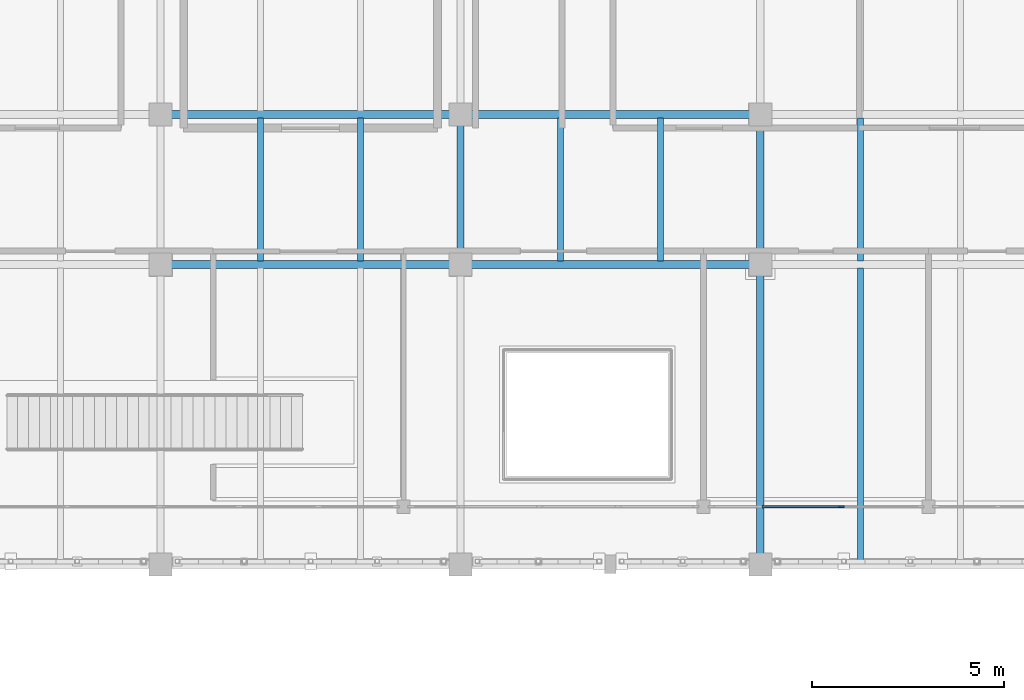
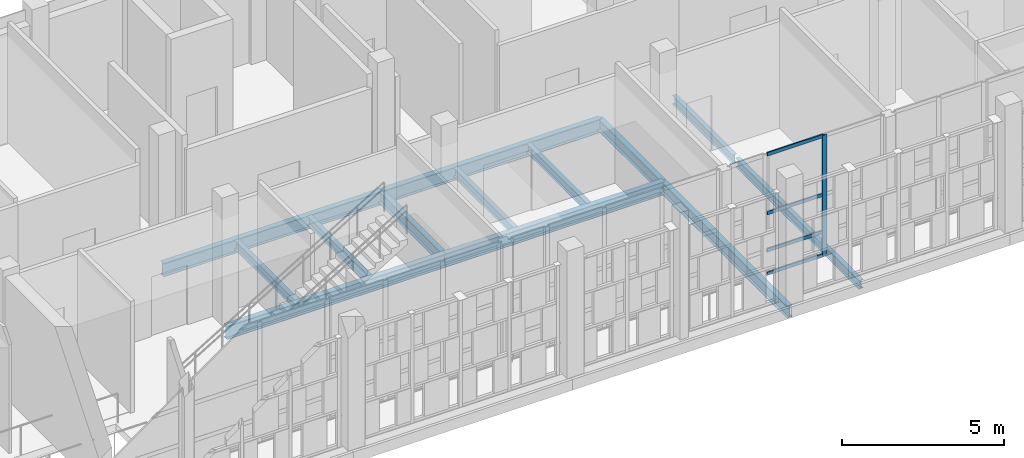
# One storey, part 61 of 138: 13 beams, 5 members, 1 element without a shape of its own.
"""IFC4 building model written with IfcOpenShell, lengths in metres."""

from ifc_helpers import new_model, si_unit, direction, frame, origin, origin_2d, place, context, subcontext, project, spatial, rectangle, i_section, extrude, material, layer, layer_set, material_profile, profile_set, type_object, element, aggregate, save


model = new_model("IFC4")

# Units and contexts
model_context = context("Model", 3, precision=1e-05, world=origin(), true_north=direction((0.0, 1.0)))
body_context = subcontext(model_context, "Body", "Model", "MODEL_VIEW")
ifc_project = project(units=[si_unit("LENGTHUNIT", "METRE"), si_unit("AREAUNIT", "SQUARE_METRE"), si_unit("VOLUMEUNIT", "CUBIC_METRE"), si_unit("PLANEANGLEUNIT", "RADIAN"), si_unit("MASSUNIT", "GRAM", prefix="KILO")], contexts=[model_context])

# Site, building, storey
site_placement = place(None, origin())
site = spatial("IfcSite", under=ifc_project, at=site_placement, CompositionType="ELEMENT")
building_placement = place(site_placement, origin())
building = spatial("IfcBuilding", under=site, at=building_placement, Name="Celorna Specialist Clinic", CompositionType="ELEMENT")
storey_placement = place(building_placement, frame((0.0, 0.0, 4.800048828125)))
storey = spatial("IfcBuildingStorey", under=building, at=storey_placement, Name="L01", CompositionType="ELEMENT", Elevation=4.800048828125)

# Beams
ifc_material_1 = material(Name="Steel S355", Category="steel")
ifc_material_profile_1 = material_profile(ifc_material_1, i_section(OverallWidth=0.199951171875, OverallDepth=0.5, WebThickness=0.01025390625, FlangeThickness=0.01611328125, at=origin_2d()), Name="IPE 500")
ifc_profile_set_1 = profile_set([ifc_material_profile_1], Name="Steel S355")
beam_type_1 = type_object("IfcBeamType", Name="BM-08", PredefinedType="BEAM", material=ifc_profile_set_1)
for number, where, z_axis, x_axis, name in (
    (1, (109.199951171875, 104.300048828125, -0.510009765625), (1.0, 0.0, 0.0), (0.0, 1.0, 0.0), "Primary girder BM-08 #893"),
    (2, (117.0, 104.300048828125, -0.510009765625), (1.0, 0.0, 0.0), (0.0, 1.0, 0.0), "Primary girder BM-08 #894"),
    (3, (109.199951171875, 108.199951171875, -0.510009765625), (1.0, 0.0, 0.0), (0.0, 1.0, 0.0), "Primary girder BM-08 #909"),
    (4, (117.0, 108.199951171875, -0.510009765625), (1.0, 0.0, 0.0), (0.0, 1.0, 0.0), "Primary girder BM-08 #910"),
):
    element("IfcBeam", number, at=place(storey_placement, frame(where, z_axis=z_axis, x_axis=x_axis)), inside=storey, type_object=beam_type_1, Name=name, PredefinedType="BEAM", context=body_context, shape_type="SweptSolid", body=[
        extrude(i_section(OverallWidth=0.199951171875, OverallDepth=0.5, WebThickness=0.01025390625, FlangeThickness=0.01611328125, at=origin_2d()), origin(), (0.0, 0.0, 1.0), 7.800048828125),
    ])
ifc_material_profile_2 = material_profile(ifc_material_1, i_section(OverallWidth=0.18994140625, OverallDepth=0.449951171875, WebThickness=0.009521484375, FlangeThickness=0.0146484375, at=origin_2d()), Name="IPE 450")
ifc_profile_set_2 = profile_set([ifc_material_profile_2], Name="Steel S355")
beam_type_2 = type_object("IfcBeamType", Name="BM-09", PredefinedType="BEAM", material=ifc_profile_set_2)
beam_1_placement = place(storey_placement, frame((117.0, 104.300048828125, -0.485107421875), z_axis=(0.0, 1.0, 0.0), x_axis=(-1.0, 0.0, 0.0)))
element("IfcBeam", 5, at=beam_1_placement, inside=storey, type_object=beam_type_2, Name="Transverse girder BM-09 #960", PredefinedType="BEAM", context=body_context, shape_type="SweptSolid", body=[
    extrude(i_section(OverallWidth=0.18994140625, OverallDepth=0.449951171875, WebThickness=0.009521484375, FlangeThickness=0.0146484375, at=origin_2d()), origin(), (0.0, 0.0, 1.0), 3.89990234375),
])
beam_2_placement = place(storey_placement, frame((124.800048828125, 96.5, -0.485107421875), z_axis=(0.0, 1.0, 0.0), x_axis=(-1.0, 0.0, 0.0)))
element("IfcBeam", 6, at=beam_2_placement, inside=storey, type_object=beam_type_2, Name="Transverse girder BM-09 #962", PredefinedType="BEAM", context=body_context, shape_type="SweptSolid", body=[
    extrude(i_section(OverallWidth=0.18994140625, OverallDepth=0.449951171875, WebThickness=0.009521484375, FlangeThickness=0.0146484375, at=origin_2d()), origin(), (0.0, 0.0, 1.0), 7.800048828125),
])
beam_3_placement = place(storey_placement, frame((124.800048828125, 104.300048828125, -0.485107421875), z_axis=(0.0, 1.0, 0.0), x_axis=(-1.0, 0.0, 0.0)))
element("IfcBeam", 7, at=beam_3_placement, inside=storey, type_object=beam_type_2, Name="Transverse girder BM-09 #963", PredefinedType="BEAM", context=body_context, shape_type="SweptSolid", body=[
    extrude(i_section(OverallWidth=0.18994140625, OverallDepth=0.449951171875, WebThickness=0.009521484375, FlangeThickness=0.0146484375, at=origin_2d()), origin(), (0.0, 0.0, 1.0), 3.89990234375),
])
ifc_material_profile_3 = material_profile(ifc_material_1, i_section(OverallWidth=0.159912109375, OverallDepth=0.330078125, WebThickness=0.007568359375, FlangeThickness=0.011474609375, at=origin_2d()), Name="IPE 330")
ifc_profile_set_3 = profile_set([ifc_material_profile_3], Name="Steel S355")
beam_type_3 = type_object("IfcBeamType", Name="BM-12", PredefinedType="JOIST", material=ifc_profile_set_3)
for number, where, z_axis, x_axis, name in (
    (8, (111.800048828125, 104.387939453125, -0.425048828125), (0.0, 1.0, 0.0), (-1.0, 0.0, 0.0), "Secondary floor joist BM-12 #1027"),
    (9, (114.39990234375, 104.387939453125, -0.425048828125), (0.0, 1.0, 0.0), (-1.0, 0.0, 0.0), "Secondary floor joist BM-12 #1028"),
    (10, (119.60009765625, 104.387939453125, -0.425048828125), (0.0, 1.0, 0.0), (-1.0, 0.0, 0.0), "Secondary floor joist BM-12 #1031"),
    (11, (122.199951171875, 104.387939453125, -0.425048828125), (0.0, 1.0, 0.0), (-1.0, 0.0, 0.0), "Secondary floor joist BM-12 #1032"),
):
    element("IfcBeam", number, at=place(storey_placement, frame(where, z_axis=z_axis, x_axis=x_axis)), inside=storey, type_object=beam_type_3, Name=name, PredefinedType="JOIST", context=body_context, shape_type="SweptSolid", body=[
        extrude(i_section(OverallWidth=0.159912109375, OverallDepth=0.330078125, WebThickness=0.007568359375, FlangeThickness=0.011474609375, at=origin_2d()), origin(), (0.0, 0.0, 1.0), 3.72412109375),
    ])
beam_4_placement = place(storey_placement, frame((127.39990234375, 96.587890625, -0.425048828125), z_axis=(0.0, 1.0, 0.0), x_axis=(-1.0, 0.0, 0.0)))
element("IfcBeam", 12, at=beam_4_placement, inside=storey, type_object=beam_type_3, Name="Secondary floor joist BM-12 #1033", PredefinedType="JOIST", context=body_context, shape_type="SweptSolid", body=[
    extrude(i_section(OverallWidth=0.159912109375, OverallDepth=0.330078125, WebThickness=0.007568359375, FlangeThickness=0.011474609375, at=origin_2d()), origin(), (0.0, 0.0, 1.0), 7.6240234375),
])
beam_5_placement = place(storey_placement, frame((127.39990234375, 104.387939453125, -0.425048828125), z_axis=(0.0, 1.0, 0.0), x_axis=(-1.0, 0.0, 0.0)))
element("IfcBeam", 13, at=beam_5_placement, inside=storey, type_object=beam_type_3, Name="Secondary floor joist BM-12 #1035", PredefinedType="JOIST", context=body_context, shape_type="SweptSolid", body=[
    extrude(i_section(OverallWidth=0.159912109375, OverallDepth=0.330078125, WebThickness=0.007568359375, FlangeThickness=0.011474609375, at=origin_2d()), origin(), (0.0, 0.0, 1.0), 3.72412109375),
])

# Curtain wall, members
ifc_material_2 = material(Name="Thermally broken aluminium and solar-control glass curtain wall", Category="aluminium")
ifc_layer = layer(ifc_material_2, 0.159912109375, Name="Thermally broken aluminium and solar-control glass curtain wall")
ifc_layer_set = layer_set([ifc_layer], Name="Thermally broken aluminium and solar-control glass curtain wall")
curtain_wall_type = type_object("IfcCurtainWallType", Name="CW-62", PredefinedType="NOTDEFINED", material=ifc_layer_set)
curtain_wall_placement = place(storey_placement, origin())
curtain_wall = element("IfcCurtainWall", 14, at=curtain_wall_placement, inside=storey, type_object=curtain_wall_type, Name="Curtain wall CW-62 #116", PredefinedType="NOTDEFINED")
ifc_material_3 = material(Name="Anodized aluminium mullion", Category="aluminium")
ifc_material_profile_4 = material_profile(ifc_material_3, rectangle(XDim=0.050048828125, YDim=0.159912109375, at=origin_2d()), Name="ALU MULLION 50x160")
ifc_profile_set_4 = profile_set([ifc_material_profile_4], Name="Anodized aluminium mullion")
member_type_1 = type_object("IfcMemberType", Name="ML-01", PredefinedType="MULLION", material=ifc_profile_set_4)
member_1_placement = place(storey_placement, frame((126.89990234375, 98.0, 0.0), z_axis=(0.0, 0.0, 1.0), x_axis=(0.0, -1.0, 0.0)))
member_1 = element("IfcMember", 15, at=member_1_placement, type_object=member_type_1, Name="CW-62 mullion 2", PredefinedType="MULLION", context=body_context, shape_type="SweptSolid", body=[
    extrude(rectangle(XDim=0.050048828125, YDim=0.159912109375, at=origin_2d()), origin(), (0.0, 0.0, 1.0), 4.5400390625),
])
ifc_material_4 = material(Name="Anodized aluminium transom", Category="aluminium")
ifc_material_profile_5 = material_profile(ifc_material_4, rectangle(XDim=0.050048828125, YDim=0.1298828125, at=origin_2d()), Name="ALU TRANSOM 50x130")
ifc_profile_set_5 = profile_set([ifc_material_profile_5], Name="Anodized aluminium transom")
member_type_2 = type_object("IfcMemberType", Name="TR-01", PredefinedType="USERDEFINED", material=ifc_profile_set_5)
member_2_placement = place(storey_placement, frame((126.875, 98.0, 0.02490234375), z_axis=(-1.0, 0.0, 0.0), x_axis=(0.0, -1.0, 0.0)))
member_2 = element("IfcMember", 16, at=member_2_placement, type_object=member_type_2, Name="CW-62 transom 2.1", ObjectType="TRANSOM", PredefinedType="USERDEFINED", context=body_context, shape_type="SweptSolid", body=[
    extrude(rectangle(XDim=0.050048828125, YDim=0.1298828125, at=origin_2d()), origin(), (0.0, 0.0, 1.0), 2.02099609375),
])
member_3_placement = place(storey_placement, frame((126.875, 98.0, 0.89990234375), z_axis=(-1.0, 0.0, 0.0), x_axis=(0.0, -1.0, 0.0)))
member_3 = element("IfcMember", 17, at=member_3_placement, type_object=member_type_2, Name="CW-62 transom 2.2", ObjectType="TRANSOM", PredefinedType="USERDEFINED", context=body_context, shape_type="SweptSolid", body=[
    extrude(rectangle(XDim=0.050048828125, YDim=0.1298828125, at=origin_2d()), origin(), (0.0, 0.0, 1.0), 2.02099609375),
])
member_4_placement = place(storey_placement, frame((126.875, 98.0, 2.300048828125), z_axis=(-1.0, 0.0, 0.0), x_axis=(0.0, -1.0, 0.0)))
member_4 = element("IfcMember", 18, at=member_4_placement, type_object=member_type_2, Name="CW-62 transom 2.3", ObjectType="TRANSOM", PredefinedType="USERDEFINED", context=body_context, shape_type="SweptSolid", body=[
    extrude(rectangle(XDim=0.050048828125, YDim=0.1298828125, at=origin_2d()), origin(), (0.0, 0.0, 1.0), 2.02099609375),
])
member_5_placement = place(storey_placement, frame((126.875, 98.0, 4.514892578125), z_axis=(-1.0, 0.0, 0.0), x_axis=(0.0, -1.0, 0.0)))
member_5 = element("IfcMember", 19, at=member_5_placement, type_object=member_type_2, Name="CW-62 transom 2.4", ObjectType="TRANSOM", PredefinedType="USERDEFINED", context=body_context, shape_type="SweptSolid", body=[
    extrude(rectangle(XDim=0.050048828125, YDim=0.1298828125, at=origin_2d()), origin(), (0.0, 0.0, 1.0), 2.02099609375),
])
aggregate(curtain_wall, [member_1, member_2, member_3, member_4, member_5])

save(model, "model.ifc")
